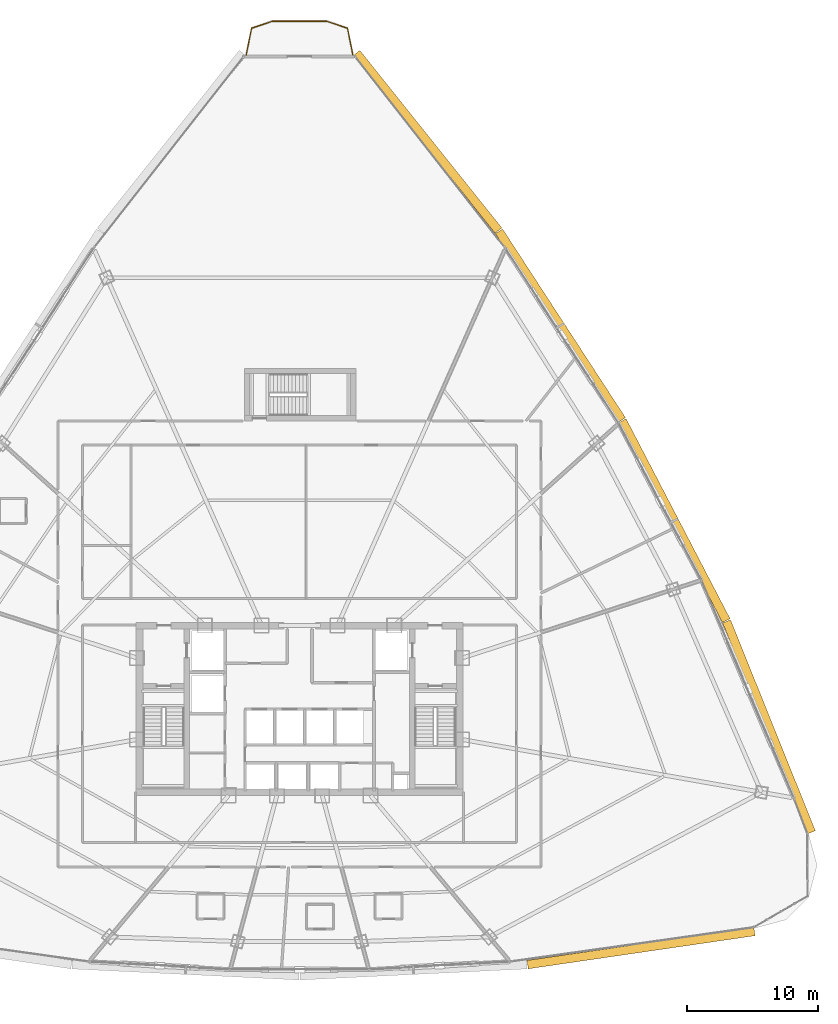
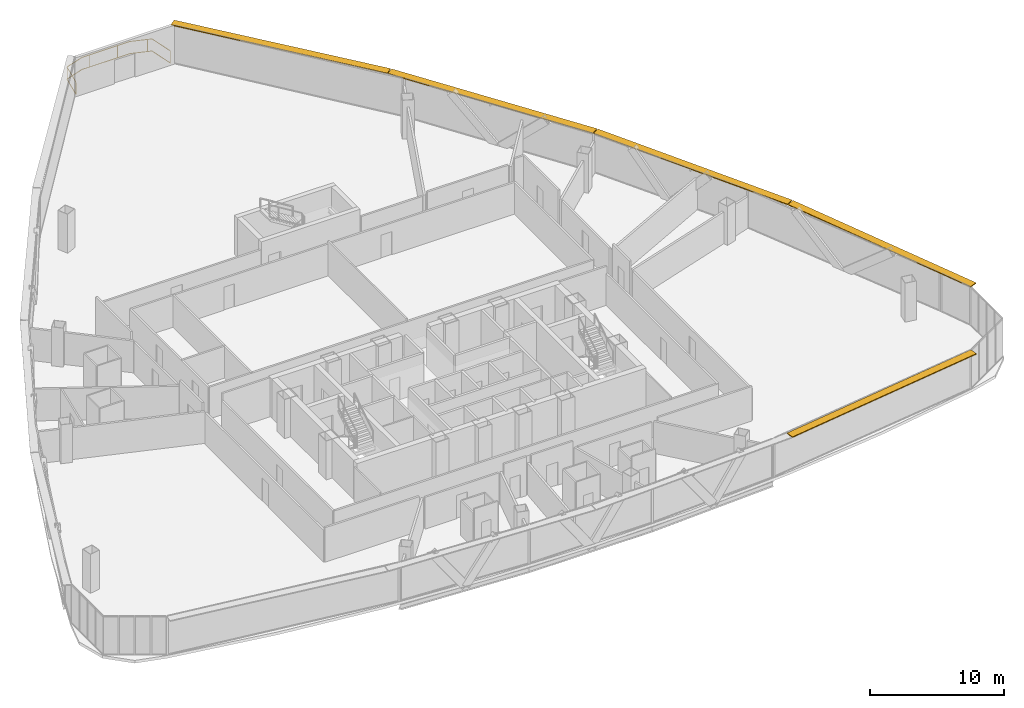
# One storey, part 40 of 40: 5 shading devices, 1 railing.
"""IFC4 building model written with IfcOpenShell, lengths in metres."""

import ifcopenshell
import ifcopenshell.guid

model = None  # the IFC model being written
_history = None  # IfcOwnerHistory: only IFC2X3 demands one
_inside = {}  # id of a spatial element -> (the spatial element, [elements in it])
_under = {}  # id of a project, library or spatial element -> (it, [spatial elements below it])
_declared = {}  # id of a project -> (the project, [libraries it declares])
_typed = {}  # id of a type object -> (the type object, [elements of that type])
_made_of = {}  # id of a material, layer set ... -> (it, [elements and type objects made of it])


def new_model(schema):
    """Start an empty IFC model of exactly this schema.

    Asked for "IFC4X3", IfcOpenShell would pick the latest addendum, in which some entities
    have other attributes; the version numbers below select the first issue.
    IFC2X3 requires an IfcOwnerHistory on every rooted entity: one is made here for all.
    """
    global model, _history
    if schema == "IFC4X3":
        model = ifcopenshell.file(schema_version=(4, 3, 0, 0))
    else:
        model = ifcopenshell.file(schema=schema)
    _inside.clear()
    _under.clear()
    _declared.clear()
    _typed.clear()
    _made_of.clear()
    _history = None
    if model.schema == "IFC2X3":
        org = make("IfcOrganization", Name="unknown")
        user = make(
            "IfcPersonAndOrganization",
            ThePerson=make("IfcPerson", FamilyName="unknown"),
            TheOrganization=org,
        )
        app = make(
            "IfcApplication",
            ApplicationDeveloper=org,
            Version="unknown",
            ApplicationFullName="unknown",
            ApplicationIdentifier="unknown",
        )
        _history = make(
            "IfcOwnerHistory",
            OwningUser=user,
            OwningApplication=app,
            ChangeAction="ADDED",
            CreationDate=0,
        )
    return model


def make(cls, **values):
    """One entity of the class cls with the attributes given. An attribute that is None is left unset."""
    return model.create_entity(
        cls, **{name: value for name, value in values.items() if value is not None}
    )


def rooted(cls, **values):
    """An entity with a GlobalId (a new one), such as an element, a storey or a relation."""
    return make(cls, GlobalId=ifcopenshell.guid.new(), OwnerHistory=_history, **values)


def si_unit(unit_type, name, prefix=None):
    """IfcSIUnit, for example si_unit("LENGTHUNIT", "METRE", prefix="MILLI")."""
    return make("IfcSIUnit", UnitType=unit_type, Prefix=prefix, Name=name)


def assignment(units):
    """IfcUnitAssignment: the units of a project."""
    return None if units is None else make("IfcUnitAssignment", Units=units)


def point(xyz):
    """IfcCartesianPoint."""
    return None if xyz is None else make("IfcCartesianPoint", Coordinates=xyz)


def direction(xyz):
    """IfcDirection."""
    return None if xyz is None else make("IfcDirection", DirectionRatios=xyz)


def frame(location, z_axis=None, x_axis=None):
    """IfcAxis2Placement3D, a coordinate frame: its origin and axes. An axis left out is left unset."""
    return make(
        "IfcAxis2Placement3D",
        Location=point(location),
        Axis=direction(z_axis),
        RefDirection=direction(x_axis),
    )


def frame_2d(location, x_axis=None):
    """IfcAxis2Placement2D, a coordinate frame in the plane: its origin and x axis."""
    return make(
        "IfcAxis2Placement2D", Location=point(location), RefDirection=direction(x_axis)
    )


def origin():
    """The frame at (0, 0, 0) with its axes left unset."""
    return frame((0.0, 0.0, 0.0))


def origin_2d():
    """The frame at (0, 0) in the plane with its x axis left unset."""
    return frame_2d((0.0, 0.0))


def place(relative_to, where):
    """IfcLocalPlacement: puts the frame where relative to a parent placement (None: the world)."""
    return make(
        "IfcLocalPlacement", PlacementRelTo=relative_to, RelativePlacement=where
    )


def context(
    kind, dimensions, precision=None, world=None, true_north=None, identifier=None
):
    """IfcGeometricRepresentationContext, for example the 3D "Model" context."""
    return make(
        "IfcGeometricRepresentationContext",
        ContextIdentifier=identifier,
        ContextType=kind,
        CoordinateSpaceDimension=dimensions,
        Precision=precision,
        WorldCoordinateSystem=world,
        TrueNorth=true_north,
    )


def subcontext(parent, identifier, kind, view, scale=None):
    """IfcGeometricRepresentationSubContext, for example "Body" below "Model"."""
    return make(
        "IfcGeometricRepresentationSubContext",
        ContextIdentifier=identifier,
        ContextType=kind,
        ParentContext=parent,
        TargetScale=scale,
        TargetView=view,
    )


def project(units=None, contexts=None):
    """IfcProject with its units and contexts."""
    return rooted(
        "IfcProject",
        Name="project",
        RepresentationContexts=contexts,
        UnitsInContext=assignment(units),
    )


def spatial(cls, under=None, at=None, **own):
    """A site, building, storey or space (cls), placed at a placement, below another one or the project."""
    s = rooted(cls, ObjectPlacement=at, **own)
    if under is not None:
        _under.setdefault(under.id(), (under, []))[1].append(s)
    return s


def profile(cls, at=None, kind="AREA", **sizes):
    """A parametric profile (cls). Its sizes go by their IFC names, for example OverallWidth=200.0."""
    return make(cls, ProfileType=kind, Position=at, **sizes)


def rectangle(**sizes):
    """IfcRectangleProfileDef."""
    return profile("IfcRectangleProfileDef", **sizes)


def extrude(swept, where, along, depth):
    """IfcExtrudedAreaSolid: the profile swept, set in the frame where, extruded along a direction by depth."""
    return make(
        "IfcExtrudedAreaSolid",
        SweptArea=swept,
        Position=where,
        ExtrudedDirection=direction(along),
        Depth=depth,
    )


def shape(context_of_items, identifier, shape_type, items):
    """IfcShapeRepresentation: the items that make up one representation, for example the "Body"."""
    return make(
        "IfcShapeRepresentation",
        ContextOfItems=context_of_items,
        RepresentationIdentifier=identifier,
        RepresentationType=shape_type,
        Items=items,
    )


def source(mapping_origin, context_of_items, identifier, shape_type, items):
    """IfcRepresentationMap: a shape defined once, which mapped items show again and again."""
    return make(
        "IfcRepresentationMap",
        MappingOrigin=mapping_origin,
        MappedRepresentation=shape(context_of_items, identifier, shape_type, items),
    )


def transform(
    local_origin,
    x_axis=None,
    y_axis=None,
    z_axis=None,
    scale=None,
    scale2=None,
    scale3=None,
    uniform=True,
):
    """IfcCartesianTransformationOperator3D, or its non-uniform kind. x_axis, y_axis, z_axis: its Axis1, 2, 3."""
    if uniform:
        return make(
            "IfcCartesianTransformationOperator3D",
            Axis1=direction(x_axis),
            Axis2=direction(y_axis),
            LocalOrigin=point(local_origin),
            Scale=scale,
            Axis3=direction(z_axis),
        )
    return make(
        "IfcCartesianTransformationOperator3DnonUniform",
        Axis1=direction(x_axis),
        Axis2=direction(y_axis),
        LocalOrigin=point(local_origin),
        Scale=scale,
        Axis3=direction(z_axis),
        Scale2=scale2,
        Scale3=scale3,
    )


def mapped(mapping_source, mapping_target):
    """IfcMappedItem: shows the shape of a source again, moved by a transform."""
    return make(
        "IfcMappedItem", MappingSource=mapping_source, MappingTarget=mapping_target
    )


def material(Name=None, Category=None):
    """IfcMaterial."""
    return make("IfcMaterial", Name=Name, Category=Category)


def layer(
    of_material, thickness, ventilated=None, Name=None, Category=None, Priority=None
):
    """IfcMaterialLayer: one layer of a wall or slab, of a material (None: an air gap)."""
    return make(
        "IfcMaterialLayer",
        Material=of_material,
        LayerThickness=thickness,
        IsVentilated=ventilated,
        Name=Name,
        Category=Category,
        Priority=Priority,
    )


def layer_set(layers, Name=None):
    """IfcMaterialLayerSet."""
    return make("IfcMaterialLayerSet", MaterialLayers=layers, LayerSetName=Name)


def made_of(thing, what):
    """Note that an element or type object is made of a material, layer set ...; save() writes the relation."""
    if what is not None:
        _made_of.setdefault(what.id(), (what, []))[1].append(thing)
    return thing


def type_object(cls, material=None, **own):
    """A type object (cls), such as IfcWallType, which elements share."""
    return made_of(rooted(cls, **own), material)


def element(
    cls,
    number,
    at=None,
    inside=None,
    cuts=None,
    type_object=None,
    material=None,
    context=None,
    identifier="Body",
    shape_type=None,
    held_by="IfcProductDefinitionShape",
    body=None,
    shapes=None,
    **own,
):
    """One element of the class cls, such as IfcWall. Its Tag is "e" and its number.

    at: its placement. inside: the storey or other place that contains it. cuts: it is an
    opening in that element (IfcRelVoidsElement). A single representation is given by context,
    identifier, shape_type and body (its items); several are given by shapes. held_by: the class
    of the entity that holds the representations. save() writes the other relations.
    """
    e = rooted(cls, Tag="e%d" % number, ObjectPlacement=at, **own)
    if body is not None:
        shapes = [shape(context, identifier, shape_type, body)]
    if shapes is not None:
        e.Representation = make(held_by, Representations=shapes)
    if inside is not None:
        _inside.setdefault(inside.id(), (inside, []))[1].append(e)
    if cuts is not None:
        rooted(
            "IfcRelVoidsElement", RelatingBuildingElement=cuts, RelatedOpeningElement=e
        )
    if type_object is not None:
        _typed.setdefault(type_object.id(), (type_object, []))[1].append(e)
    return made_of(e, material)


def aggregate(whole, parts):
    """IfcRelAggregates: a whole, such as a stair, and the parts it consists of."""
    return rooted("IfcRelAggregates", RelatingObject=whole, RelatedObjects=parts)


def save(model, path):
    """Write the relations noted so far, then the file.

    IfcRelAggregates (storeys below a building ...), IfcRelContainedInSpatialStructure (elements
    in a storey), IfcRelDefinesByType, IfcRelAssociatesMaterial and IfcRelDeclares: one each for
    every whole, place, type object, material and project.
    """
    for whole, parts in _under.values():
        aggregate(whole, parts)
    for where, things in _inside.values():
        rooted(
            "IfcRelContainedInSpatialStructure",
            RelatedElements=things,
            RelatingStructure=where,
        )
    for kind, things in _typed.values():
        rooted("IfcRelDefinesByType", RelatedObjects=things, RelatingType=kind)
    for what, things in _made_of.values():
        rooted("IfcRelAssociatesMaterial", RelatedObjects=things, RelatingMaterial=what)
    for by, libraries in _declared.values():
        rooted("IfcRelDeclares", RelatingContext=by, RelatedDefinitions=libraries)
    model.write(path)


model = new_model("IFC4")

# Units and contexts
model_context = context("Model", 3, precision=1e-05, world=origin(), true_north=direction((0.0, 1.0)))
body_context = subcontext(model_context, "Body", "Model", "MODEL_VIEW")
ifc_project = project(units=[si_unit("LENGTHUNIT", "METRE"), si_unit("AREAUNIT", "SQUARE_METRE"), si_unit("VOLUMEUNIT", "CUBIC_METRE"), si_unit("PLANEANGLEUNIT", "RADIAN"), si_unit("MASSUNIT", "GRAM", prefix="KILO"), si_unit("THERMODYNAMICTEMPERATUREUNIT", "KELVIN"), si_unit("POWERUNIT", "WATT")], contexts=[model_context])

# Site, building, storey
site_placement = place(None, origin())
site = spatial("IfcSite", under=ifc_project, at=site_placement, CompositionType="ELEMENT")
building_placement = place(site_placement, origin())
building = spatial("IfcBuilding", under=site, at=building_placement, Name="Yunzhuo Pagoda Commons", CompositionType="ELEMENT")
storey_placement = place(building_placement, frame((0.0, 0.0, 184.760009765625)))
storey = spatial("IfcBuildingStorey", under=building, at=storey_placement, Name="L46", CompositionType="ELEMENT", Elevation=184.760009765625)

# Railing
ifc_material = material(Name="Anodized aluminium 6063-T6", Category="aluminium")
railing_type = type_object("IfcRailingType", Name="RL-BAL1 Exterior Terrace & Balcony Balustrade 1150", PredefinedType="BALUSTRADE", material=ifc_material)
railing_placement = place(storey_placement, frame((52.060302734375, 83.712646484375, 0.0)))
element("IfcRailing", 1, at=railing_placement, inside=storey, type_object=railing_type, Name="L46 corner balcony balustrade V3", PredefinedType="BALUSTRADE", context=body_context, shape_type="SweptSolid", body=[
    extrude(rectangle(XDim=0.048095703125, YDim=0.048095703125, at=origin_2d()), frame((0.0, 0.0, 1.1259765625), z_axis=(-0.194200568098, 0.980961843983, 0.0), x_axis=(-0.980961843983, -0.194200568098, 0.0)), (0.0, 0.0, 1.0), 2.059326171875),
    extrude(rectangle(XDim=0.048095703125, YDim=0.048095703125, at=origin_2d()), frame((0.0, 0.0, 0.02392578125), z_axis=(-0.194200568098, 0.980961843983, 0.0), x_axis=(-0.980961843983, -0.194200568098, 0.0)), (0.0, 0.0, 1.0), 2.059326171875),
    extrude(rectangle(XDim=0.048095703125, YDim=0.048095703125, at=origin_2d()), frame((-0.39990234375, 2.02001953125, 1.1259765625), z_axis=(-0.948697861028, 0.316184073732, 0.0), x_axis=(-0.316184073732, -0.948697861028, 0.0)), (0.0, 0.0, 1.0), 1.67626953125),
    extrude(rectangle(XDim=0.048095703125, YDim=0.048095703125, at=origin_2d()), frame((-0.39990234375, 2.02001953125, 0.02392578125), z_axis=(-0.948697861028, 0.316184073732, 0.0), x_axis=(-0.316184073732, -0.948697861028, 0.0)), (0.0, 0.0, 1.0), 1.67626953125),
    extrude(rectangle(XDim=0.048095703125, YDim=0.048095703125, at=origin_2d()), frame((-1.990234375, 2.550048828125, 1.1259765625), z_axis=(-1.0, 0.0, 0.0), x_axis=(0.0, -1.0, 0.0)), (0.0, 0.0, 1.0), 4.14013671875),
    extrude(rectangle(XDim=0.048095703125, YDim=0.048095703125, at=origin_2d()), frame((-1.990234375, 2.550048828125, 0.02392578125), z_axis=(-1.0, 0.0, 0.0), x_axis=(0.0, -1.0, 0.0)), (0.0, 0.0, 1.0), 4.14013671875),
    extrude(rectangle(XDim=0.048095703125, YDim=0.048095703125, at=origin_2d()), frame((-6.13037109375, 2.550048828125, 1.1259765625), z_axis=(-0.948697861028, -0.316184073732, 0.0), x_axis=(0.316184073732, -0.948697861028, 0.0)), (0.0, 0.0, 1.0), 1.67626953125),
    extrude(rectangle(XDim=0.048095703125, YDim=0.048095703125, at=origin_2d()), frame((-6.13037109375, 2.550048828125, 0.02392578125), z_axis=(-0.948697861028, -0.316184073732, 0.0), x_axis=(0.316184073732, -0.948697861028, 0.0)), (0.0, 0.0, 1.0), 1.67626953125),
    extrude(rectangle(XDim=0.048095703125, YDim=0.048095703125, at=origin_2d()), frame((-7.720703125, 2.02001953125, 1.1259765625), z_axis=(-0.194200568098, -0.980961843983, 0.0), x_axis=(0.980961843983, -0.194200568098, 0.0)), (0.0, 0.0, 1.0), 2.059326171875),
    extrude(rectangle(XDim=0.048095703125, YDim=0.048095703125, at=origin_2d()), frame((-7.720703125, 2.02001953125, 0.02392578125), z_axis=(-0.194200568098, -0.980961843983, 0.0), x_axis=(0.980961843983, -0.194200568098, 0.0)), (0.0, 0.0, 1.0), 2.059326171875),
    extrude(rectangle(XDim=0.0419921875, YDim=0.0419921875, at=origin_2d()), origin(), (0.0, 0.0, 1.0), 1.101806640625),
    extrude(rectangle(XDim=0.0419921875, YDim=0.0419921875, at=origin_2d()), frame((-0.72314453125, 2.127685546875, 0.0)), (0.0, 0.0, 1.0), 1.101806640625),
    extrude(rectangle(XDim=0.0419921875, YDim=0.0419921875, at=origin_2d()), frame((-3.0546875, 2.550048828125, 0.0)), (0.0, 0.0, 1.0), 1.101806640625),
    extrude(rectangle(XDim=0.0419921875, YDim=0.0419921875, at=origin_2d()), frame((-5.45458984375, 2.550048828125, 0.0)), (0.0, 0.0, 1.0), 1.101806640625),
    extrude(rectangle(XDim=0.0419921875, YDim=0.0419921875, at=origin_2d()), frame((-7.72998046875, 1.972900390625, 0.0)), (0.0, 0.0, 1.0), 1.101806640625),
    extrude(rectangle(XDim=0.0419921875, YDim=0.0419921875, at=origin_2d()), frame((-8.12060546875, 0.0, 0.0)), (0.0, 0.0, 1.0), 1.101806640625),
])

# Shading devices
ifc_layer = layer(ifc_material, 0.080078125)
ifc_layer_set = layer_set([ifc_layer], Name="Anodized aluminium 6063-T6")
shading_device_type = type_object("IfcShadingDeviceType", Name="SH-SUN1 Pagoda Horizontal Sunshade Eave 650", PredefinedType="USERDEFINED", material=ifc_layer_set)
shared_shape_1 = source(origin(), body_context, "Body", "SweptSolid", [
    extrude(rectangle(XDim=17.475830078125, YDim=0.64990234375, at=origin_2d()), origin(), (0.0, 0.0, 1.0), 0.080078125),
])
shading_device_1_placement = place(storey_placement, frame((74.032958984375, 15.615478515625, 3.4599609375), z_axis=(0.0, 0.0, 1.0), x_axis=(0.989510666697, 0.144459823108, 0.0)))
element("IfcShadingDevice", 2, at=shading_device_1_placement, inside=storey, type_object=shading_device_type, Name="L46 horizontal pagoda sunshade eave F1.4", ObjectType="SUNSHADE", PredefinedType="USERDEFINED", context=body_context, shape_type="MappedRepresentation", body=[
    mapped(shared_shape_1, transform((0.0, 0.0, 0.0), scale=1.0)),
])
shared_shape_2 = source(origin(), body_context, "Body", "SweptSolid", [
    extrude(rectangle(XDim=17.335205078125, YDim=0.64990234375, at=origin_2d()), origin(), (0.0, 0.0, 1.0), 0.080078125),
])
shading_device_2_placement = place(storey_placement, frame((83.786865234375, 32.4794921875, 3.4599609375), z_axis=(0.0, 0.0, 1.0), x_axis=(-0.372987782576, 0.927836253899, 0.0)))
element("IfcShadingDevice", 3, at=shading_device_2_placement, inside=storey, type_object=shading_device_type, Name="L46 horizontal pagoda sunshade eave F2.1", ObjectType="SUNSHADE", PredefinedType="USERDEFINED", context=body_context, shape_type="MappedRepresentation", body=[
    mapped(shared_shape_2, transform((0.0, 0.0, 0.0), scale=1.0)),
])
shared_shape_3 = source(origin(), body_context, "Body", "SweptSolid", [
    extrude(rectangle(XDim=17.1708984375, YDim=0.64990234375, at=origin_2d()), origin(), (0.0, 0.0, 1.0), 0.080078125),
])
for number, where, z_axis, x_axis, name in (
    (4, (76.56787109375, 48.19677734375, 3.4599609375), (0.0, 0.0, 1.0), (-0.461206683033, 0.88729273384, 0.0), "L46 horizontal pagoda sunshade eave F2.2"),
    (5, (67.889892578125, 63.06298828125, 3.4599609375), (0.0, 0.0, 1.0), (-0.545838756973, 0.837890238269, 0.0), "L46 horizontal pagoda sunshade eave F2.3"),
):
    element("IfcShadingDevice", number, at=place(storey_placement, frame(where, z_axis=z_axis, x_axis=x_axis)), inside=storey, type_object=shading_device_type, Name=name, ObjectType="SUNSHADE", PredefinedType="USERDEFINED", context=body_context, shape_type="MappedRepresentation", body=[
        mapped(shared_shape_3, transform((0.0, 0.0, 0.0), scale=1.0)),
    ])
shared_shape_4 = source(origin(), body_context, "Body", "SweptSolid", [
    extrude(rectangle(XDim=17.33544921875, YDim=0.64990234375, at=origin_2d()), origin(), (0.0, 0.0, 1.0), 0.080078125),
])
shading_device_3_placement = place(storey_placement, frame((57.75341796875, 77.077392578125, 3.4599609375), z_axis=(0.0, 0.0, 1.0), x_axis=(-0.624520471688, 0.781008438138, 0.0)))
element("IfcShadingDevice", 6, at=shading_device_3_placement, inside=storey, type_object=shading_device_type, Name="L46 horizontal pagoda sunshade eave F2.4", ObjectType="SUNSHADE", PredefinedType="USERDEFINED", context=body_context, shape_type="MappedRepresentation", body=[
    mapped(shared_shape_4, transform((0.0, 0.0, 0.0), scale=1.0)),
])

save(model, "model.ifc")
